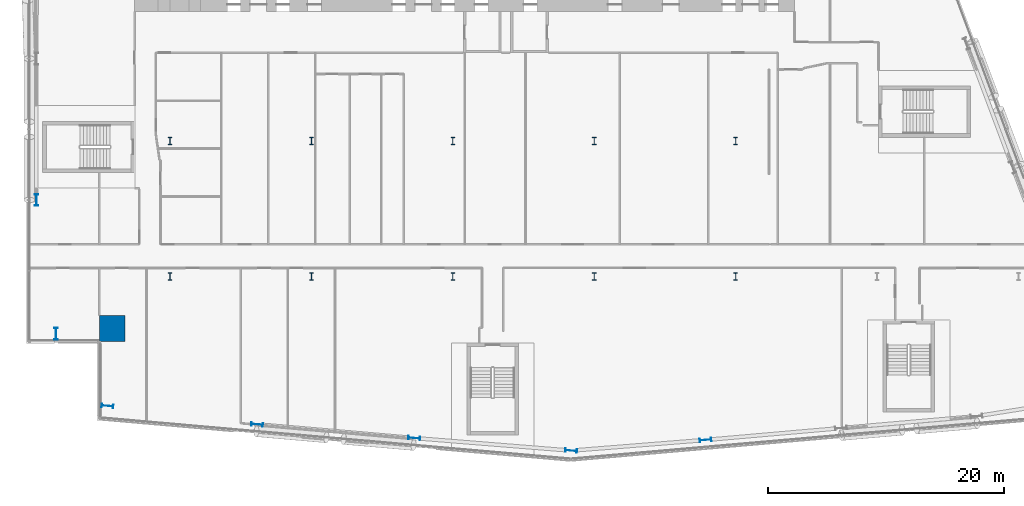
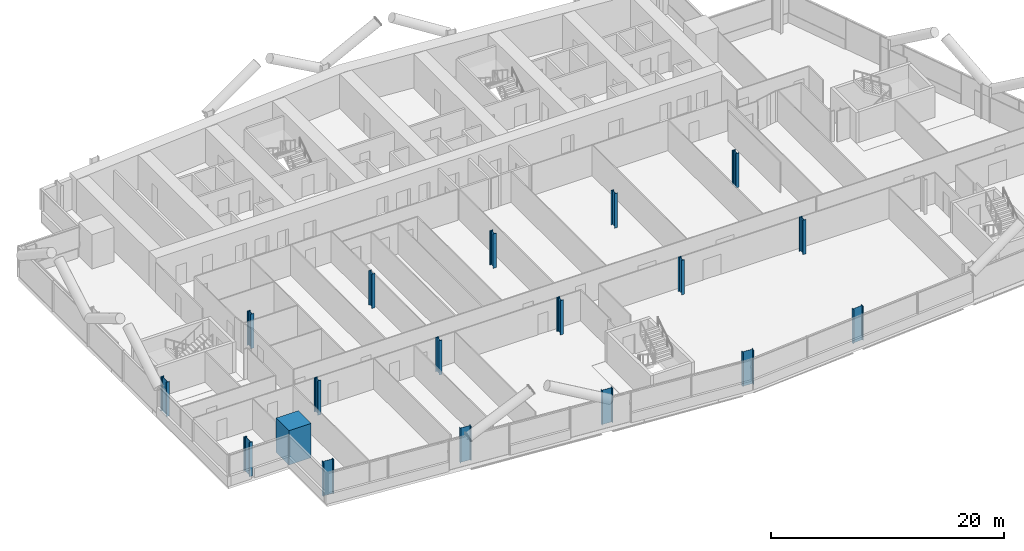
# One storey, part 1 of 27: 18 columns.
"""IFC4 building model written with IfcOpenShell, lengths in metres."""

from ifc_helpers import new_model, si_unit, direction, frame, origin, origin_2d, place, context, subcontext, project, spatial, rectangle, i_section, extrude, material, material_profile, profile_set, type_object, element, save


model = new_model("IFC4")

# Units and contexts
model_context = context("Model", 3, precision=1e-05, world=origin(), true_north=direction((0.0, 1.0)))
body_context = subcontext(model_context, "Body", "Model", "MODEL_VIEW")
ifc_project = project(units=[si_unit("LENGTHUNIT", "METRE"), si_unit("AREAUNIT", "SQUARE_METRE"), si_unit("VOLUMEUNIT", "CUBIC_METRE"), si_unit("PLANEANGLEUNIT", "RADIAN"), si_unit("MASSUNIT", "GRAM", prefix="KILO")], contexts=[model_context])

# Site, building, storey
site_placement = place(None, origin())
site = spatial("IfcSite", under=ifc_project, at=site_placement, CompositionType="ELEMENT")
building_placement = place(site_placement, origin())
building = spatial("IfcBuilding", under=site, at=building_placement, Name="Wharfspan Tower", CompositionType="ELEMENT")
storey_placement = place(building_placement, frame((0.0, 0.0, 45.100098)))
storey = spatial("IfcBuildingStorey", under=building, at=storey_placement, Name="L07", CompositionType="ELEMENT", Elevation=45.100098)

# Columns
ifc_material_1 = material(Name="Steel S355J2", Category="steel")
ifc_material_profile_1 = material_profile(ifc_material_1, i_section(OverallWidth=0.302002, OverallDepth=1.008057, WebThickness=0.020996, FlangeThickness=0.040039, FilletRadius=0.030029, at=origin_2d()))
ifc_profile_set_1 = profile_set([ifc_material_profile_1], Name="Steel S355J2")
column_type_1 = type_object("IfcColumnType", Name="Column HEM 1000", PredefinedType="COLUMN", material=ifc_profile_set_1)
for number, where, z_axis, x_axis, name in (
    (1, (6.694336, 0.528564, 0.0), (0.0, 0.0, 1.0), (-0.087156, -0.996198, 0.0), "Perimeter column PS1.1 L07"),
    (2, (19.390869, -1.033936, 0.0), (0.0, 0.0, 1.0), (-0.087156, -0.996198, 0.0), "Perimeter column PS1.2 L07"),
    (3, (32.724121, -2.200439, 0.0), (0.0, 0.0, 1.0), (-0.087156, -0.996198, 0.0), "Perimeter column PS1.3 L07"),
    (4, (46.04248, -3.268066, 0.0), (0.0, 0.0, 1.0), (-0.087156, -0.996198, 0.0), "Perimeter column PS1.4 L07"),
    (5, (57.442383, -2.36084, 0.0), (0.0, 0.0, 1.0), (0.087156, -0.996198, 0.0), "Perimeter column PS2.1 L07"),
    (6, (0.659912, 18.0, 0.0), (0.0, 0.0, 1.0), (-1.0, 0.0, 0.0), "Perimeter column PW.2 L07"),
    (7, (2.331787, 6.66748, 0.0), (0.0, 0.0, 1.0), (-1.0, 0.0, 0.0), "Perimeter column PW.3 L07"),
):
    element("IfcColumn", number, at=place(storey_placement, frame(where, z_axis=z_axis, x_axis=x_axis)), inside=storey, type_object=column_type_1, Name=name, PredefinedType="COLUMN", context=body_context, shape_type="SweptSolid", body=[
        extrude(i_section(OverallWidth=0.302002, OverallDepth=1.008057, WebThickness=0.020996, FlangeThickness=0.040039, FilletRadius=0.030029, at=origin_2d()), origin(), (0.0, 0.0, 1.0), 3.599854),
    ])
ifc_material_profile_2 = material_profile(ifc_material_1, i_section(OverallWidth=0.304932, OverallDepth=0.620117, WebThickness=0.020996, FlangeThickness=0.040039, FilletRadius=0.0271, at=origin_2d()))
ifc_profile_set_2 = profile_set([ifc_material_profile_2], Name="Steel S355J2")
column_type_2 = type_object("IfcColumnType", Name="Column HEM 600", PredefinedType="COLUMN", material=ifc_profile_set_2)
for number, where, z_axis, x_axis, name in (
    (8, (12.0, 11.5, 0.0), (0.0, 0.0, 1.0), (1.0, 0.0, 0.0), "Interior column I.1.1 L07"),
    (9, (24.0, 11.5, 0.0), (0.0, 0.0, 1.0), (1.0, 0.0, 0.0), "Interior column I.1.2 L07"),
    (10, (36.0, 11.5, 0.0), (0.0, 0.0, 1.0), (1.0, 0.0, 0.0), "Interior column I.1.3 L07"),
    (11, (48.0, 11.5, 0.0), (0.0, 0.0, 1.0), (1.0, 0.0, 0.0), "Interior column I.1.4 L07"),
    (12, (60.0, 11.5, 0.0), (0.0, 0.0, 1.0), (1.0, 0.0, 0.0), "Interior column I.1.5 L07"),
    (13, (12.0, 23.0, 0.0), (0.0, 0.0, 1.0), (1.0, 0.0, 0.0), "Interior column I.2.1 L07"),
    (14, (24.0, 23.0, 0.0), (0.0, 0.0, 1.0), (1.0, 0.0, 0.0), "Interior column I.2.2 L07"),
    (15, (36.0, 23.0, 0.0), (0.0, 0.0, 1.0), (1.0, 0.0, 0.0), "Interior column I.2.3 L07"),
    (16, (48.0, 23.0, 0.0), (0.0, 0.0, 1.0), (1.0, 0.0, 0.0), "Interior column I.2.4 L07"),
    (17, (60.0, 23.0, 0.0), (0.0, 0.0, 1.0), (1.0, 0.0, 0.0), "Interior column I.2.5 L07"),
):
    element("IfcColumn", number, at=place(storey_placement, frame(where, z_axis=z_axis, x_axis=x_axis)), inside=storey, type_object=column_type_2, Name=name, PredefinedType="COLUMN", context=body_context, shape_type="SweptSolid", body=[
        extrude(i_section(OverallWidth=0.304932, OverallDepth=0.620117, WebThickness=0.020996, FlangeThickness=0.040039, FilletRadius=0.0271, at=origin_2d()), origin(), (0.0, 0.0, 1.0), 3.599854),
    ])
ifc_material_2 = material(Name="Concrete C70/85", Category="concrete")
ifc_material_profile_3 = material_profile(ifc_material_2, rectangle(XDim=2.199951, YDim=2.199951, at=origin_2d()))
ifc_profile_set_3 = profile_set([ifc_material_profile_3], Name="Concrete C70/85")
column_type_3 = type_object("IfcColumnType", Name="Mega column 2200 C70/85", PredefinedType="COLUMN", material=ifc_profile_set_3)
column_placement = place(storey_placement, frame((7.100098, 7.100098, 0.0), z_axis=(0.0, 0.0, 1.0), x_axis=(1.0, 0.0, 0.0)))
element("IfcColumn", 18, at=column_placement, inside=storey, type_object=column_type_3, Name="Mega column MC1 L07", PredefinedType="COLUMN", context=body_context, shape_type="SweptSolid", body=[
    extrude(rectangle(XDim=2.199951, YDim=2.199951, at=origin_2d()), origin(), (0.0, 0.0, 1.0), 3.599854),
])

save(model, "model.ifc")
